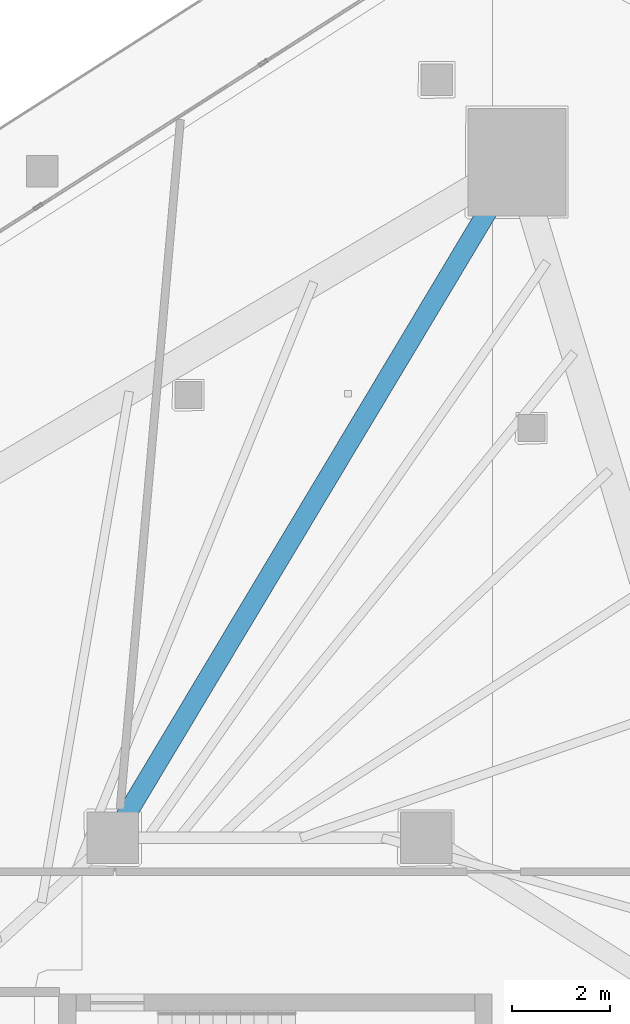
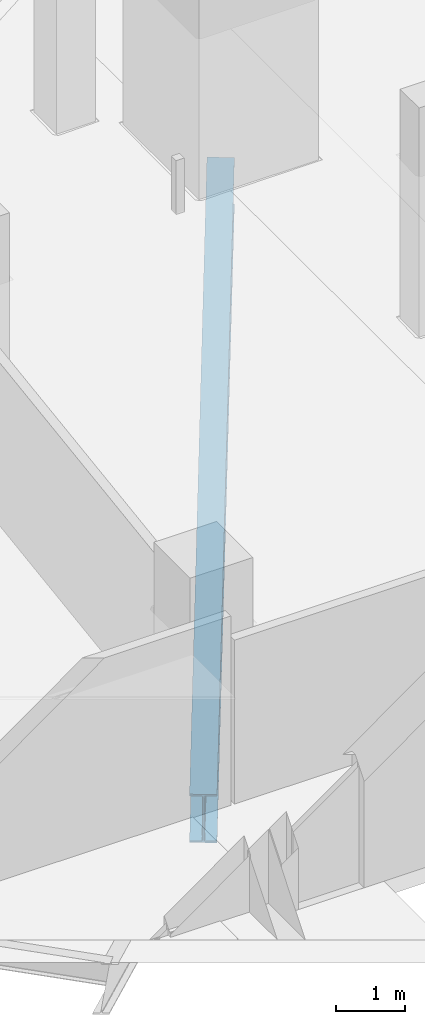
# One storey, part 21 of 38: 1 beam.
"""IFC4 building model written with IfcOpenShell, lengths in metres."""

from ifc_helpers import new_model, si_unit, direction, frame, origin, origin_2d, place, context, subcontext, project, spatial, i_section, extrude, material, material_profile, profile_set, type_object, element, save


model = new_model("IFC4")

# Units and contexts
model_context = context("Model", 3, precision=1e-05, world=origin(), true_north=direction((0.0, 1.0)))
body_context = subcontext(model_context, "Body", "Model", "MODEL_VIEW")
ifc_project = project(units=[si_unit("LENGTHUNIT", "METRE"), si_unit("AREAUNIT", "SQUARE_METRE"), si_unit("VOLUMEUNIT", "CUBIC_METRE"), si_unit("PLANEANGLEUNIT", "RADIAN"), si_unit("MASSUNIT", "GRAM", prefix="KILO")], contexts=[model_context])

# Site, building, storey
site_placement = place(None, origin())
site = spatial("IfcSite", under=ifc_project, at=site_placement, CompositionType="ELEMENT")
building_placement = place(site_placement, origin())
building = spatial("IfcBuilding", under=site, at=building_placement, Name="Qorvath Tower", CompositionType="ELEMENT")
storey_placement = place(building_placement, frame((0.0, 0.0, 134.10009765625)))
storey = spatial("IfcBuildingStorey", under=building, at=storey_placement, Name="L30", CompositionType="ELEMENT", Elevation=134.10009765625)

# Beam
ifc_material = material(Name="Steel ASTM A992 Grade 50", Category="steel")
ifc_material_profile = material_profile(ifc_material, i_section(OverallWidth=0.39892578125, OverallDepth=0.85498046875, WebThickness=0.018310546875, FlangeThickness=0.029296875, FilletRadius=0.02001953125, at=origin_2d()), Name="W33x201")
ifc_profile_set = profile_set([ifc_material_profile], Name="Steel ASTM A992 Grade 50")
beam_type = type_object("IfcBeamType", Name="BM-FG2", PredefinedType="BEAM", material=ifc_profile_set)
beam_placement = place(storey_placement, frame((-23.60009765625, 11.449951171875, -0.697509765625), z_axis=(0.513497213955, 0.85809126045, 0.0), x_axis=(-0.85809126045, 0.513497213955, 0.0)))
element("IfcBeam", 1, at=beam_placement, inside=storey, type_object=beam_type, Name="Radial Floor Girder CC1-MC6 L30", PredefinedType="BEAM", context=body_context, shape_type="SweptSolid", body=[
    extrude(i_section(OverallWidth=0.39892578125, OverallDepth=0.85498046875, WebThickness=0.018310546875, FlangeThickness=0.029296875, FilletRadius=0.02001953125, at=origin_2d()), origin(), (0.0, 0.0, 1.0), 16.07763671875),
])

save(model, "model.ifc")
